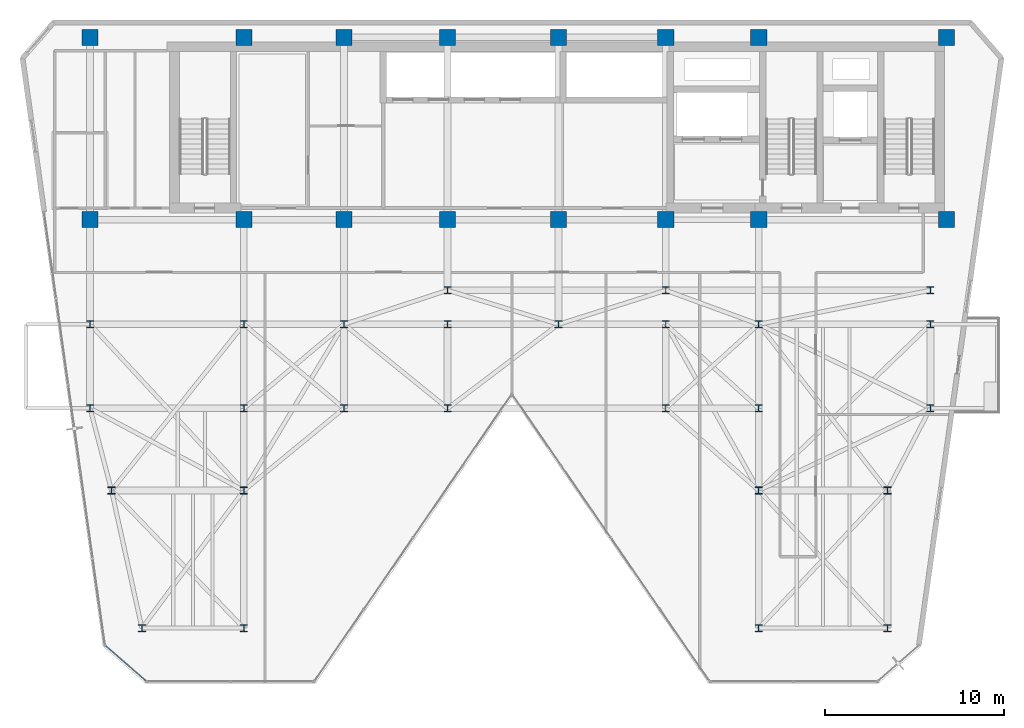
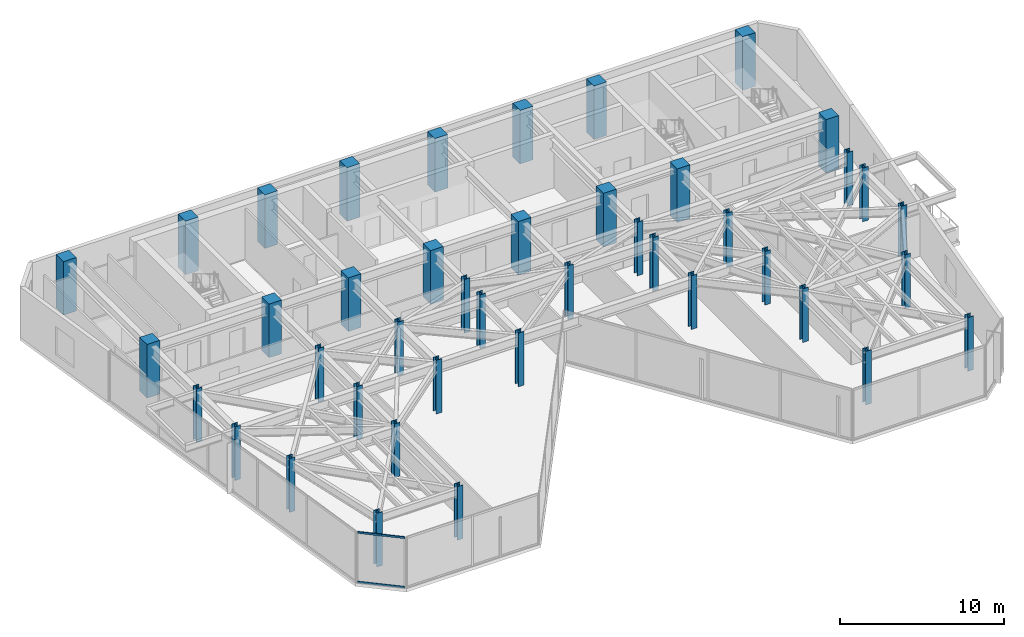
# One storey, part 1 of 27: 42 columns, 2 members, 1 element without a shape of its own.
"""IFC4 building model written with IfcOpenShell, lengths in metres."""

from ifc_helpers import new_model, si_unit, direction, frame, origin, origin_2d, place, context, subcontext, project, spatial, rectangle, hollow_rectangle, i_section, extrude, material, layer, layer_set, material_profile, profile_set, type_object, element, aggregate, save


model = new_model("IFC4")

# Units and contexts
model_context = context("Model", 3, precision=1e-05, world=origin(), true_north=direction((0.0, 1.0)))
body_context = subcontext(model_context, "Body", "Model", "MODEL_VIEW")
ifc_project = project(units=[si_unit("LENGTHUNIT", "METRE"), si_unit("AREAUNIT", "SQUARE_METRE"), si_unit("VOLUMEUNIT", "CUBIC_METRE"), si_unit("PLANEANGLEUNIT", "RADIAN"), si_unit("MASSUNIT", "GRAM", prefix="KILO")], contexts=[model_context])

# Site, building, storey
site_placement = place(None, origin())
site = spatial("IfcSite", under=ifc_project, at=site_placement, CompositionType="ELEMENT")
building_placement = place(site_placement, origin())
building = spatial("IfcBuilding", under=site, at=building_placement, Name="Kravanh Interchange Tower", CompositionType="ELEMENT")
storey_placement = place(building_placement, frame((0.0, 0.0, 196.5)))
storey = spatial("IfcBuildingStorey", under=building, at=storey_placement, Name="L47", CompositionType="ELEMENT", Elevation=196.5)

# Columns
ifc_material_1 = material(Name="Concrete C60/75", Category="concrete")
ifc_material_profile_1 = material_profile(ifc_material_1, rectangle(XDim=0.89990234375, YDim=0.89990234375, at=origin_2d()), Name="RC900X900")
ifc_profile_set_1 = profile_set([ifc_material_profile_1], Name="Concrete C60/75")
column_type_1 = type_object("IfcColumnType", Name="Column RC900X900 Concrete C60/75", PredefinedType="COLUMN", material=ifc_profile_set_1)
for number, where, z_axis, x_axis, name in (
    (1, (66.5, 47.550048828125, 0.0), (0.0, 0.0, 1.0), (1.0, 0.0, 0.0), "L47 Column CS01"),
    (2, (56.0, 47.550048828125, 0.0), (0.0, 0.0, 1.0), (1.0, 0.0, 0.0), "L47 Column CS02"),
    (3, (66.5, 37.35009765625, 0.0), (0.0, 0.0, 1.0), (1.0, 0.0, 0.0), "L47 Column CS03"),
    (4, (56.0, 37.35009765625, 0.0), (0.0, 0.0, 1.0), (1.0, 0.0, 0.0), "L47 Column CS04"),
    (5, (50.800048828125, 47.550048828125, 0.0), (0.0, 0.0, 1.0), (1.0, 0.0, 0.0), "L47 Column CS05"),
    (6, (50.800048828125, 37.35009765625, 0.0), (0.0, 0.0, 1.0), (1.0, 0.0, 0.0), "L47 Column CS06"),
    (7, (44.800048828125, 37.35009765625, 0.0), (0.0, 0.0, 1.0), (1.0, 0.0, 0.0), "L47 Column CS07"),
    (8, (44.800048828125, 47.550048828125, 0.0), (0.0, 0.0, 1.0), (1.0, 0.0, 0.0), "L47 Column CS08"),
    (9, (38.60009765625, 37.35009765625, 0.0), (0.0, 0.0, 1.0), (1.0, 0.0, 0.0), "L47 Column CS09"),
    (10, (38.60009765625, 47.550048828125, 0.0), (0.0, 0.0, 1.0), (1.0, 0.0, 0.0), "L47 Column CS10"),
    (11, (32.800048828125, 37.35009765625, 0.0), (0.0, 0.0, 1.0), (1.0, 0.0, 0.0), "L47 Column CS11"),
    (12, (32.800048828125, 47.550048828125, 0.0), (0.0, 0.0, 1.0), (1.0, 0.0, 0.0), "L47 Column CS12"),
    (13, (27.199951171875, 37.35009765625, 0.0), (0.0, 0.0, 1.0), (1.0, 0.0, 0.0), "L47 Column CS13"),
    (14, (27.199951171875, 47.550048828125, 0.0), (0.0, 0.0, 1.0), (1.0, 0.0, 0.0), "L47 Column CS14"),
    (15, (18.60009765625, 37.35009765625, 0.0), (0.0, 0.0, 1.0), (1.0, 0.0, 0.0), "L47 Column CS17"),
    (16, (18.60009765625, 47.550048828125, 0.0), (0.0, 0.0, 1.0), (1.0, 0.0, 0.0), "L47 Column CS18"),
):
    element("IfcColumn", number, at=place(storey_placement, frame(where, z_axis=z_axis, x_axis=x_axis)), inside=storey, type_object=column_type_1, Name=name, PredefinedType="COLUMN", context=body_context, shape_type="SweptSolid", body=[
        extrude(rectangle(XDim=0.89990234375, YDim=0.89990234375, at=origin_2d()), origin(), (0.0, 0.0, 1.0), 4.0),
    ])
ifc_material_2 = material(Name="Structural Steel S355", Category="steel")
ifc_material_profile_2 = material_profile(ifc_material_2, i_section(OverallWidth=0.40087890625, OverallDepth=0.39892578125, WebThickness=0.02490234375, FlangeThickness=0.03955078125, FilletRadius=0.030029296875, at=origin_2d()), Name="W14X211")
ifc_profile_set_2 = profile_set([ifc_material_profile_2], Name="Structural Steel S355")
column_type_2 = type_object("IfcColumnType", Name="Column W14X211 Structural Steel S355", PredefinedType="COLUMN", material=ifc_profile_set_2)
for number, where, z_axis, x_axis, name in (
    (17, (21.5, 14.5, 0.0), (0.0, 0.0, 1.0), (1.0, 0.0, 0.0), "L47 Column CZ3_1"),
    (18, (18.60009765625, 26.800048828125, 0.0), (0.0, 0.0, 1.0), (1.0, 0.0, 0.0), "L47 Column CZ3_11"),
    (19, (27.199951171875, 26.800048828125, 0.0), (0.0, 0.0, 1.0), (1.0, 0.0, 0.0), "L47 Column CZ3_12"),
    (20, (32.800048828125, 26.800048828125, 0.0), (0.0, 0.0, 1.0), (1.0, 0.0, 0.0), "L47 Column CZ3_13"),
    (21, (38.60009765625, 26.800048828125, 0.0), (0.0, 0.0, 1.0), (1.0, 0.0, 0.0), "L47 Column CZ3_13B"),
    (22, (50.800048828125, 26.800048828125, 0.0), (0.0, 0.0, 1.0), (1.0, 0.0, 0.0), "L47 Column CZ3_14"),
    (23, (56.0, 26.800048828125, 0.0), (0.0, 0.0, 1.0), (1.0, 0.0, 0.0), "L47 Column CZ3_15"),
    (24, (65.60009765625, 26.800048828125, 0.0), (0.0, 0.0, 1.0), (1.0, 0.0, 0.0), "L47 Column CZ3_16"),
    (25, (18.60009765625, 31.5, 0.0), (0.0, 0.0, 1.0), (1.0, 0.0, 0.0), "L47 Column CZ3_17"),
    (26, (27.199951171875, 31.5, 0.0), (0.0, 0.0, 1.0), (1.0, 0.0, 0.0), "L47 Column CZ3_18"),
    (27, (32.800048828125, 31.5, 0.0), (0.0, 0.0, 1.0), (1.0, 0.0, 0.0), "L47 Column CZ3_19"),
    (28, (27.199951171875, 14.5, 0.0), (0.0, 0.0, 1.0), (1.0, 0.0, 0.0), "L47 Column CZ3_2"),
    (29, (38.60009765625, 31.5, 0.0), (0.0, 0.0, 1.0), (1.0, 0.0, 0.0), "L47 Column CZ3_20"),
    (30, (44.800048828125, 31.5, 0.0), (0.0, 0.0, 1.0), (1.0, 0.0, 0.0), "L47 Column CZ3_21"),
    (31, (50.800048828125, 31.5, 0.0), (0.0, 0.0, 1.0), (1.0, 0.0, 0.0), "L47 Column CZ3_22"),
    (32, (56.0, 31.5, 0.0), (0.0, 0.0, 1.0), (1.0, 0.0, 0.0), "L47 Column CZ3_23"),
    (33, (65.60009765625, 31.5, 0.0), (0.0, 0.0, 1.0), (1.0, 0.0, 0.0), "L47 Column CZ3_24"),
    (34, (56.0, 14.5, 0.0), (0.0, 0.0, 1.0), (1.0, 0.0, 0.0), "L47 Column CZ3_3"),
    (35, (63.199951171875, 14.5, 0.0), (0.0, 0.0, 1.0), (1.0, 0.0, 0.0), "L47 Column CZ3_4"),
    (36, (19.800048828125, 22.199951171875, 0.0), (0.0, 0.0, 1.0), (1.0, 0.0, 0.0), "L47 Column CZ3_5"),
    (37, (27.199951171875, 22.199951171875, 0.0), (0.0, 0.0, 1.0), (1.0, 0.0, 0.0), "L47 Column CZ3_6"),
    (38, (56.0, 22.199951171875, 0.0), (0.0, 0.0, 1.0), (1.0, 0.0, 0.0), "L47 Column CZ3_8"),
    (39, (63.199951171875, 22.199951171875, 0.0), (0.0, 0.0, 1.0), (1.0, 0.0, 0.0), "L47 Column CZ3_9"),
    (40, (38.60009765625, 33.39990234375, 0.0), (0.0, 0.0, 1.0), (1.0, 0.0, 0.0), "L47 Column CZ3_M1"),
    (41, (50.800048828125, 33.39990234375, 0.0), (0.0, 0.0, 1.0), (1.0, 0.0, 0.0), "L47 Column CZ3_M2"),
    (42, (65.60009765625, 33.39990234375, 0.0), (0.0, 0.0, 1.0), (1.0, 0.0, 0.0), "L47 Column CZ3_M3"),
):
    element("IfcColumn", number, at=place(storey_placement, frame(where, z_axis=z_axis, x_axis=x_axis)), inside=storey, type_object=column_type_2, Name=name, PredefinedType="COLUMN", context=body_context, shape_type="SweptSolid", body=[
        extrude(i_section(OverallWidth=0.40087890625, OverallDepth=0.39892578125, WebThickness=0.02490234375, FlangeThickness=0.03955078125, FilletRadius=0.030029296875, at=origin_2d()), origin(), (0.0, 0.0, 1.0), 4.0),
    ])

# Curtain wall, members
ifc_material_3 = material(Name="Anodised Bronze Aluminium", Category="aluminium")
ifc_layer = layer(ifc_material_3, 0.179931640625)
ifc_layer_set = layer_set([ifc_layer], Name="Unitised Curtain Wall System CW-Z3 Upper Office")
curtain_wall_type = type_object("IfcCurtainWallType", Name="Unitised Curtain Wall System CW-Z3 Upper Office", PredefinedType="NOTDEFINED", material=ifc_layer_set)
curtain_wall_placement = place(storey_placement, origin())
curtain_wall = element("IfcCurtainWall", 43, at=curtain_wall_placement, inside=storey, type_object=curtain_wall_type, Name="L47 Unitised Curtain Wall CW-L47-07", PredefinedType="NOTDEFINED")
ifc_material_4 = material(Name="Anodised Bronze Aluminium", Category="aluminium")
ifc_material_profile_3 = material_profile(ifc_material_4, hollow_rectangle(XDim=0.06005859375, YDim=0.139892578125, WallThickness=0.00390625, at=origin_2d()), Name="ALU60X140X4")
ifc_profile_set_3 = profile_set([ifc_material_profile_3], Name="Anodised Bronze Aluminium")
member_type = type_object("IfcMemberType", Name="Curtain Wall Transom ALU60X140X4 Bronze", PredefinedType="USERDEFINED", material=ifc_profile_set_3)
member_1_placement = place(storey_placement, frame((21.713623046875, 11.559326171875, 0.030029296875), z_axis=(-0.754708504141, 0.656060266879, 0.0), x_axis=(-0.656060266879, -0.754708504141, 0.0)))
member_1 = element("IfcMember", 44, at=member_1_placement, type_object=member_type, Name="CW-Z3 transom 1.1", ObjectType="TRANSOM", PredefinedType="USERDEFINED", context=body_context, shape_type="SweptSolid", body=[
    extrude(hollow_rectangle(XDim=0.06005859375, YDim=0.139892578125, WallThickness=0.00390625, at=origin_2d()), origin(), (0.0, 0.0, 1.0), 2.9599609375),
])
member_2_placement = place(storey_placement, frame((21.713623046875, 11.559326171875, 3.72509765625), z_axis=(-0.754708504141, 0.656060266879, 0.0), x_axis=(-0.656060266879, -0.754708504141, 0.0)))
member_2 = element("IfcMember", 45, at=member_2_placement, type_object=member_type, Name="CW-Z3 transom 1.2", ObjectType="TRANSOM", PredefinedType="USERDEFINED", context=body_context, shape_type="SweptSolid", body=[
    extrude(hollow_rectangle(XDim=0.06005859375, YDim=0.139892578125, WallThickness=0.00390625, at=origin_2d()), origin(), (0.0, 0.0, 1.0), 2.9599609375),
])
aggregate(curtain_wall, [member_1, member_2])

save(model, "model.ifc")
